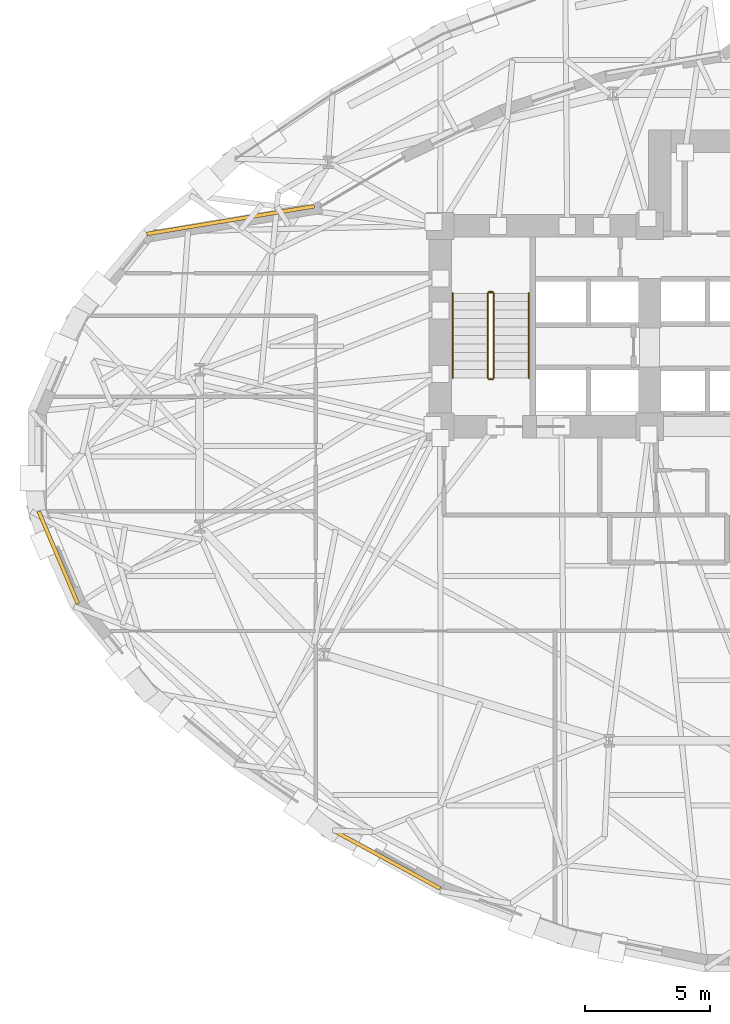
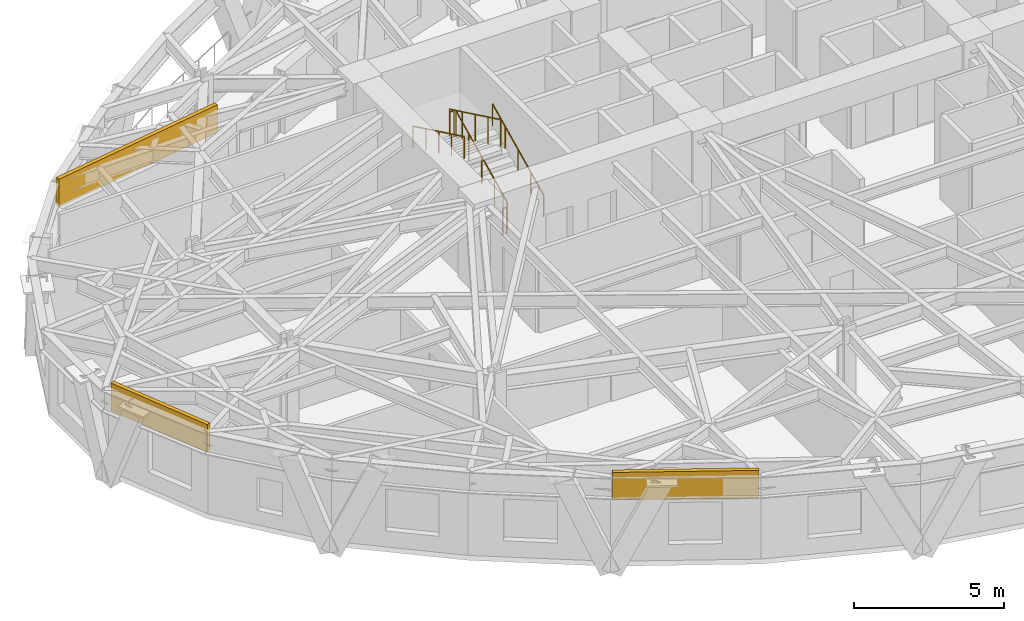
# One storey, part 14 of 17: 6 railings, 3 coverings.
"""IFC4 building model written with IfcOpenShell, lengths in metres."""

from ifc_helpers import new_model, si_unit, direction, frame, origin, origin_2d, place, context, subcontext, project, spatial, rectangle, circle, extrude, material, layer, layer_set, type_object, element, save


model = new_model("IFC4")

# Units and contexts
model_context = context("Model", 3, precision=1e-05, world=origin(), true_north=direction((0.0, 1.0)))
body_context = subcontext(model_context, "Body", "Model", "MODEL_VIEW")
ifc_project = project(units=[si_unit("LENGTHUNIT", "METRE"), si_unit("AREAUNIT", "SQUARE_METRE"), si_unit("VOLUMEUNIT", "CUBIC_METRE"), si_unit("PLANEANGLEUNIT", "RADIAN"), si_unit("MASSUNIT", "GRAM", prefix="KILO")], contexts=[model_context])

# Site, building, storey
site_placement = place(None, origin())
site = spatial("IfcSite", under=ifc_project, at=site_placement, CompositionType="ELEMENT")
building_placement = place(site_placement, origin())
building = spatial("IfcBuilding", under=site, at=building_placement, Name="Keldmark Tower", CompositionType="ELEMENT")
storey_placement = place(building_placement, frame((0.0, 0.0, 70.199951171875)))
storey = spatial("IfcBuildingStorey", under=building, at=storey_placement, Name="L18", CompositionType="ELEMENT", Elevation=70.199951171875)

# Coverings
ifc_material_1 = material(Name="Honed Kasota Buff Dolomitic Limestone", Category="masonry")
ifc_layer = layer(ifc_material_1, 0.074951171875)
ifc_layer_set = layer_set([ifc_layer], Name="Honed Kasota Buff Dolomitic Limestone")
covering_type = type_object("IfcCoveringType", Name="Kasota Buff Limestone Spandrel Cladding Band", PredefinedType="CLADDING", material=ifc_layer_set)
covering_1_placement = place(storey_placement, frame((-22.01611328125, 9.68310546875, 2.453125), z_axis=(0.0, 0.0, 1.0), x_axis=(-0.986606346878, -0.163119331471, 0.0)))
element("IfcCovering", 1, at=covering_1_placement, inside=storey, type_object=covering_type, Name="L18 Kasota Limestone Spandrel Band 13", PredefinedType="CLADDING", context=body_context, shape_type="SweptSolid", body=[
    extrude(rectangle(XDim=6.81591796875, YDim=0.14990234375, at=origin_2d()), origin(), (0.0, 0.0, 1.0), 1.126953125),
])
covering_2_placement = place(storey_placement, frame((-28.926513671875, -3.855712890625, 2.453125), z_axis=(0.0, 0.0, 1.0), x_axis=(0.390233030268, -0.920716124594, 0.0)))
element("IfcCovering", 2, at=covering_2_placement, inside=storey, type_object=covering_type, Name="L18 Kasota Limestone Spandrel Band 17", PredefinedType="CLADDING", context=body_context, shape_type="SweptSolid", body=[
    extrude(rectangle(XDim=4.020263671875, YDim=0.14990234375, at=origin_2d()), origin(), (0.0, 0.0, 1.0), 1.126953125),
])
covering_3_placement = place(storey_placement, frame((-15.75048828125, -15.9697265625, 2.453125), z_axis=(0.0, 0.0, 1.0), x_axis=(0.878558816309, -0.477634176212, 0.0)))
element("IfcCovering", 3, at=covering_3_placement, inside=storey, type_object=covering_type, Name="L18 Kasota Limestone Spandrel Band 21", PredefinedType="CLADDING", context=body_context, shape_type="SweptSolid", body=[
    extrude(rectangle(XDim=4.880859375, YDim=0.14990234375, at=origin_2d()), origin(), (0.0, 0.0, 1.0), 1.126953125),
])

# Railings
ifc_material_2 = material(Name="Painted Steel ASTM A500 Grade B", Category="steel")
railing_type_1 = type_object("IfcRailingType", Name="Painted Steel Stair Well Guard 1100 mm", PredefinedType="GUARDRAIL", material=ifc_material_2)
railing_1_placement = place(storey_placement, frame((-11.449951171875, 3.35009765625, 0.16357421875)))
element("IfcRailing", 4, at=railing_1_placement, inside=storey, type_object=railing_type_1, Name="L18 ST1 stair guard 1", PredefinedType="GUARDRAIL", context=body_context, shape_type="SweptSolid", body=[
    extrude(circle(Radius=0.02392578125, at=origin_2d()), frame((0.0, 0.0, 1.076171875), z_axis=(0.0, 0.901055053782, 0.433704726806), x_axis=(-1.0, 0.0, 0.0)), (0.0, 0.0, 1.0), 3.773193359375),
    extrude(circle(Radius=0.02099609375, at=origin_2d()), origin(), (0.0, 0.0, 1.0), 1.052001953125),
    extrude(circle(Radius=0.02099609375, at=origin_2d()), frame((0.0, 0.85009765625, 0.4091796875)), (0.0, 0.0, 1.0), 1.052001953125),
    extrude(circle(Radius=0.02099609375, at=origin_2d()), frame((0.0, 1.699951171875, 0.818359375)), (0.0, 0.0, 1.0), 1.052001953125),
    extrude(circle(Radius=0.02099609375, at=origin_2d()), frame((0.0, 2.5498046875, 1.227294921875)), (0.0, 0.0, 1.0), 1.052001953125),
    extrude(circle(Radius=0.02099609375, at=origin_2d()), frame((0.0, 3.39990234375, 1.636474609375)), (0.0, 0.0, 1.0), 1.052001953125),
])
railing_2_placement = place(storey_placement, frame((-11.5, 6.800048828125, 1.800048828125)))
element("IfcRailing", 5, at=railing_2_placement, inside=storey, type_object=railing_type_1, Name="L18 ST1 stair guard 2", PredefinedType="GUARDRAIL", context=body_context, shape_type="SweptSolid", body=[
    extrude(circle(Radius=0.02392578125, at=origin_2d()), frame((0.0, 0.0, 1.076171875), z_axis=(-1.0, 0.0, 0.0), x_axis=(0.0, -1.0, 0.0)), (0.0, 0.0, 1.0), 0.14990234375),
    extrude(circle(Radius=0.02099609375, at=origin_2d()), origin(), (0.0, 0.0, 1.0), 1.052001953125),
    extrude(circle(Radius=0.02099609375, at=origin_2d()), frame((-0.14990234375, 0.0, 0.0)), (0.0, 0.0, 1.0), 1.052001953125),
])
railing_3_placement = place(storey_placement, frame((-11.699951171875, 6.75, 1.963623046875)))
element("IfcRailing", 6, at=railing_3_placement, inside=storey, type_object=railing_type_1, Name="L18 ST1 stair guard 3", PredefinedType="GUARDRAIL", context=body_context, shape_type="SweptSolid", body=[
    extrude(circle(Radius=0.02392578125, at=origin_2d()), frame((0.0, 0.0, 1.076171875), z_axis=(0.0, -0.901055053782, 0.433704726806), x_axis=(1.0, 0.0, 0.0)), (0.0, 0.0, 1.0), 3.773193359375),
    extrude(circle(Radius=0.02099609375, at=origin_2d()), origin(), (0.0, 0.0, 1.0), 1.052001953125),
    extrude(circle(Radius=0.02099609375, at=origin_2d()), frame((0.0, -0.85009765625, 0.4091796875)), (0.0, 0.0, 1.0), 1.052001953125),
    extrude(circle(Radius=0.02099609375, at=origin_2d()), frame((0.0, -1.699951171875, 0.818359375)), (0.0, 0.0, 1.0), 1.052001953125),
    extrude(circle(Radius=0.02099609375, at=origin_2d()), frame((0.0, -2.5498046875, 1.227294921875)), (0.0, 0.0, 1.0), 1.052001953125),
    extrude(circle(Radius=0.02099609375, at=origin_2d()), frame((0.0, -3.39990234375, 1.636474609375)), (0.0, 0.0, 1.0), 1.052001953125),
])
railing_4_placement = place(storey_placement, frame((-11.5, 3.300048828125, 0.0)))
element("IfcRailing", 7, at=railing_4_placement, inside=storey, type_object=railing_type_1, Name="L18 ST1 stair guard 4", PredefinedType="GUARDRAIL", context=body_context, shape_type="SweptSolid", body=[
    extrude(circle(Radius=0.02392578125, at=origin_2d()), frame((0.0, 0.0, 1.076171875), z_axis=(-1.0, 0.0, 0.0), x_axis=(0.0, -1.0, 0.0)), (0.0, 0.0, 1.0), 0.14990234375),
    extrude(circle(Radius=0.02099609375, at=origin_2d()), origin(), (0.0, 0.0, 1.0), 1.052001953125),
    extrude(circle(Radius=0.02099609375, at=origin_2d()), frame((-0.14990234375, 0.0, 0.0)), (0.0, 0.0, 1.0), 1.052001953125),
])
ifc_material_3 = material(Name="Stainless Steel AISI 316L", Category="steel")
railing_type_2 = type_object("IfcRailingType", Name="Stainless Steel Stair Handrail 900 mm", PredefinedType="HANDRAIL", material=ifc_material_3)
railing_5_placement = place(storey_placement, frame((-10.050048828125, 3.35009765625, 0.16357421875)))
element("IfcRailing", 8, at=railing_5_placement, inside=storey, type_object=railing_type_2, Name="L18 ST1 stair handrail 1", PredefinedType="HANDRAIL", context=body_context, shape_type="SweptSolid", body=[
    extrude(circle(Radius=0.02392578125, at=origin_2d()), frame((0.0, 0.0, 0.8759765625), z_axis=(0.0, 0.901055053782, 0.433704726806), x_axis=(-1.0, 0.0, 0.0)), (0.0, 0.0, 1.0), 3.773193359375),
    extrude(circle(Radius=0.02099609375, at=origin_2d()), origin(), (0.0, 0.0, 1.0), 0.851806640625),
    extrude(circle(Radius=0.02099609375, at=origin_2d()), frame((0.0, 0.85009765625, 0.4091796875)), (0.0, 0.0, 1.0), 0.851806640625),
    extrude(circle(Radius=0.02099609375, at=origin_2d()), frame((0.0, 1.699951171875, 0.818359375)), (0.0, 0.0, 1.0), 0.851806640625),
    extrude(circle(Radius=0.02099609375, at=origin_2d()), frame((0.0, 2.5498046875, 1.227294921875)), (0.0, 0.0, 1.0), 0.851806640625),
    extrude(circle(Radius=0.02099609375, at=origin_2d()), frame((0.0, 3.39990234375, 1.636474609375)), (0.0, 0.0, 1.0), 0.851806640625),
])
railing_6_placement = place(storey_placement, frame((-13.10009765625, 6.75, 1.963623046875)))
element("IfcRailing", 9, at=railing_6_placement, inside=storey, type_object=railing_type_2, Name="L18 ST1 stair handrail 2", PredefinedType="HANDRAIL", context=body_context, shape_type="SweptSolid", body=[
    extrude(circle(Radius=0.02392578125, at=origin_2d()), frame((0.0, 0.0, 0.8759765625), z_axis=(0.0, -0.901055053782, 0.433704726806), x_axis=(1.0, 0.0, 0.0)), (0.0, 0.0, 1.0), 3.773193359375),
    extrude(circle(Radius=0.02099609375, at=origin_2d()), origin(), (0.0, 0.0, 1.0), 0.851806640625),
    extrude(circle(Radius=0.02099609375, at=origin_2d()), frame((0.0, -0.85009765625, 0.4091796875)), (0.0, 0.0, 1.0), 0.851806640625),
    extrude(circle(Radius=0.02099609375, at=origin_2d()), frame((0.0, -1.699951171875, 0.818359375)), (0.0, 0.0, 1.0), 0.851806640625),
    extrude(circle(Radius=0.02099609375, at=origin_2d()), frame((0.0, -2.5498046875, 1.227294921875)), (0.0, 0.0, 1.0), 0.851806640625),
    extrude(circle(Radius=0.02099609375, at=origin_2d()), frame((0.0, -3.39990234375, 1.636474609375)), (0.0, 0.0, 1.0), 0.851806640625),
])

save(model, "model.ifc")
